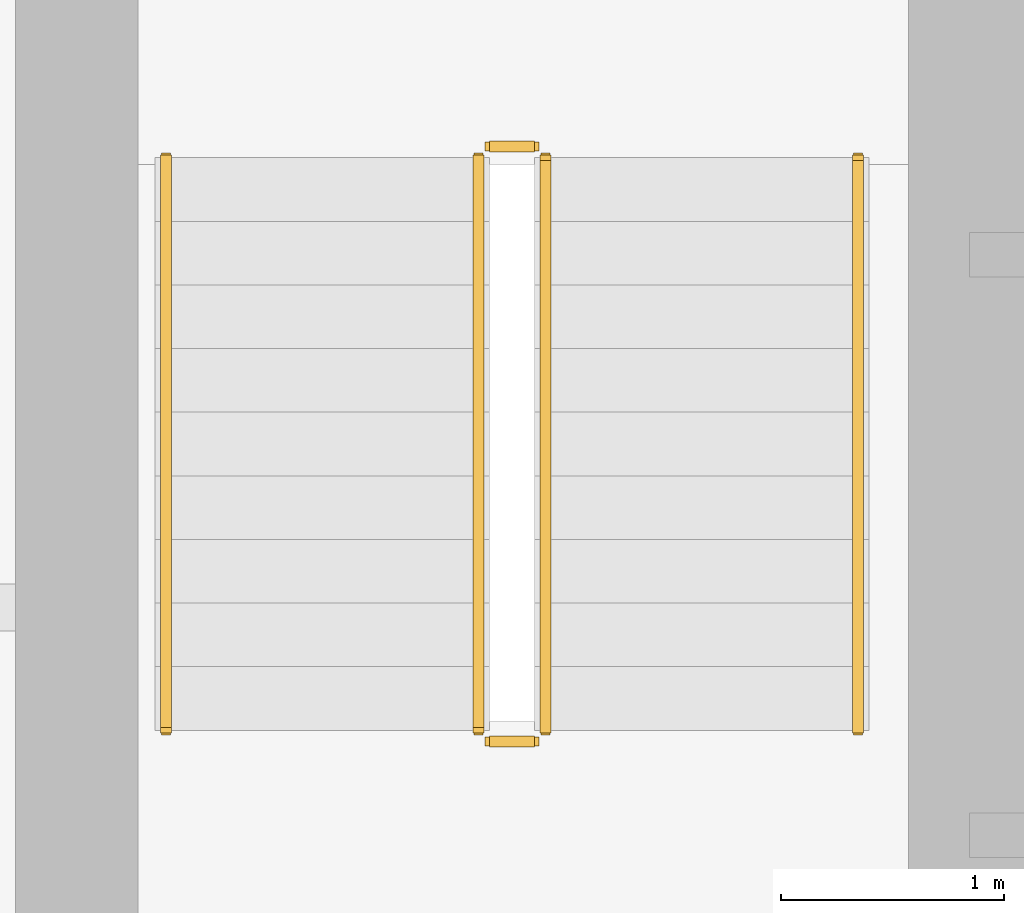
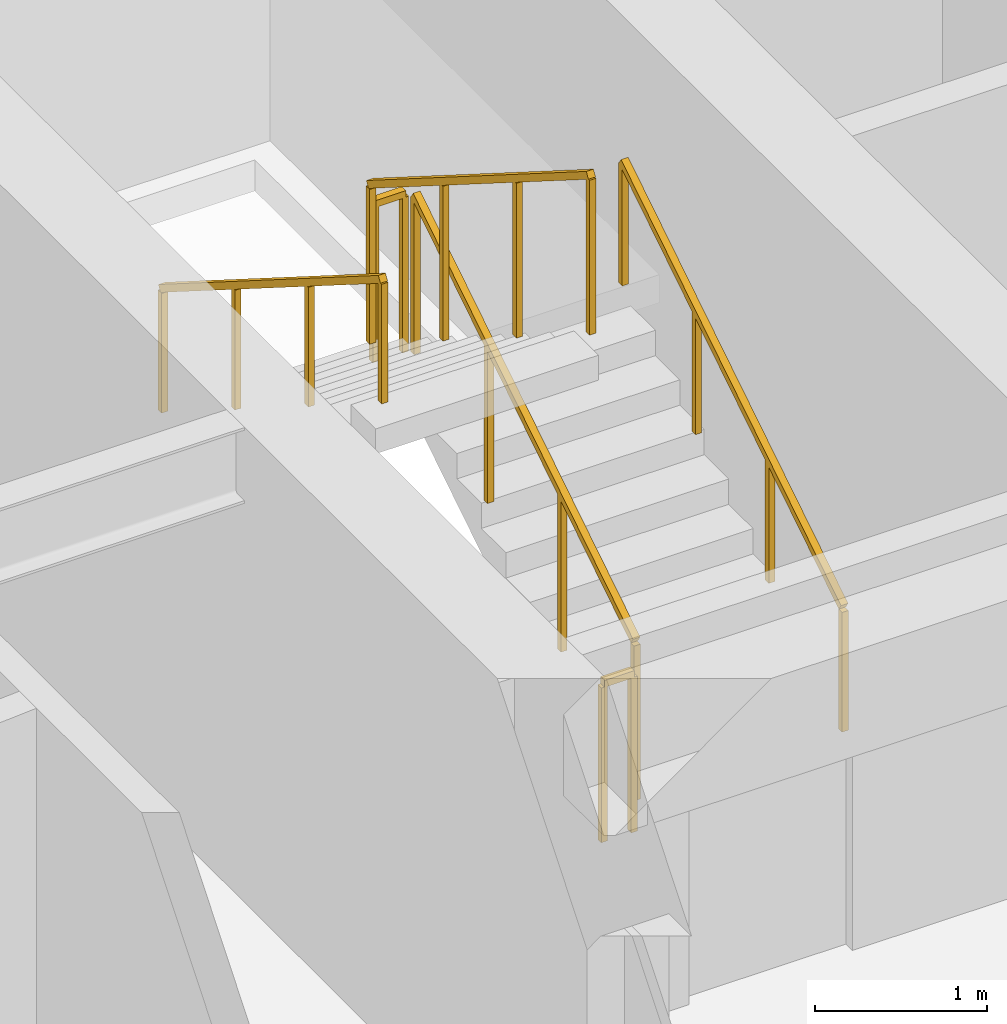
# One storey, part 22 of 24: 6 railings.
"""IFC4 building model written with IfcOpenShell, lengths in metres."""

from ifc_helpers import new_model, si_unit, direction, frame, origin, origin_2d, place, context, subcontext, project, spatial, rectangle, extrude, material, type_object, element, save


model = new_model("IFC4")

# Units and contexts
model_context = context("Model", 3, precision=1e-05, world=origin(), true_north=direction((0.0, 1.0)))
body_context = subcontext(model_context, "Body", "Model", "MODEL_VIEW")
ifc_project = project(units=[si_unit("LENGTHUNIT", "METRE"), si_unit("AREAUNIT", "SQUARE_METRE"), si_unit("VOLUMEUNIT", "CUBIC_METRE"), si_unit("PLANEANGLEUNIT", "RADIAN"), si_unit("MASSUNIT", "GRAM", prefix="KILO")], contexts=[model_context])

# Site, building, storey
site_placement = place(None, origin())
site = spatial("IfcSite", under=ifc_project, at=site_placement, CompositionType="ELEMENT")
building_placement = place(site_placement, origin())
building = spatial("IfcBuilding", under=site, at=building_placement, Name="Sarneth Arch Tower", CompositionType="ELEMENT")
storey_placement = place(building_placement, frame((0.0, 0.0, 127.199951171875)))
storey = spatial("IfcBuildingStorey", under=building, at=storey_placement, Name="L32", CompositionType="ELEMENT", Elevation=127.199951171875)

# Railings
ifc_material_1 = material(Name="Brushed Stainless Steel 304 tubular handrail", Category="steel")
railing_type_1 = type_object("IfcRailingType", Name="RAIL-HANDRAIL-900", PredefinedType="HANDRAIL", material=ifc_material_1)
railing_1_placement = place(storey_placement, frame((40.5, 41.449951171875, 0.179931640625)))
element("IfcRailing", 1, at=railing_1_placement, inside=storey, type_object=railing_type_1, Name="L32 ST-1 stair handrail 1", PredefinedType="HANDRAIL", context=body_context, shape_type="SweptSolid", body=[
    extrude(rectangle(XDim=0.048095703125, YDim=0.048095703125, at=origin_2d()), frame((0.0, 0.0, 0.8759765625), z_axis=(0.0, 0.845465955043, 0.534029323973), x_axis=(-1.0, 0.0, 0.0)), (0.0, 0.0, 1.0), 3.03369140625),
    extrude(rectangle(XDim=0.0419921875, YDim=0.0419921875, at=origin_2d()), origin(), (0.0, 0.0, 1.0), 0.851806640625),
    extrude(rectangle(XDim=0.0419921875, YDim=0.0419921875, at=origin_2d()), frame((0.0, 0.85498046875, 0.5400390625)), (0.0, 0.0, 1.0), 0.851806640625),
    extrude(rectangle(XDim=0.0419921875, YDim=0.0419921875, at=origin_2d()), frame((0.0, 1.7099609375, 1.080078125)), (0.0, 0.0, 1.0), 0.851806640625),
    extrude(rectangle(XDim=0.0419921875, YDim=0.0419921875, at=origin_2d()), frame((0.0, 2.56494140625, 1.6201171875)), (0.0, 0.0, 1.0), 0.851806640625),
])
railing_2_placement = place(storey_placement, frame((37.39990234375, 44.014892578125, 1.97998046875)))
element("IfcRailing", 2, at=railing_2_placement, inside=storey, type_object=railing_type_1, Name="L32 ST-1 stair handrail 2", PredefinedType="HANDRAIL", context=body_context, shape_type="SweptSolid", body=[
    extrude(rectangle(XDim=0.048095703125, YDim=0.048095703125, at=origin_2d()), frame((0.0, 0.0, 0.8759765625), z_axis=(0.0, -0.845465955043, 0.534029323973), x_axis=(1.0, 0.0, 0.0)), (0.0, 0.0, 1.0), 3.03369140625),
    extrude(rectangle(XDim=0.0419921875, YDim=0.0419921875, at=origin_2d()), origin(), (0.0, 0.0, 1.0), 0.851806640625),
    extrude(rectangle(XDim=0.0419921875, YDim=0.0419921875, at=origin_2d()), frame((0.0, -0.85498046875, 0.5400390625)), (0.0, 0.0, 1.0), 0.851806640625),
    extrude(rectangle(XDim=0.0419921875, YDim=0.0419921875, at=origin_2d()), frame((0.0, -1.7099609375, 1.080078125)), (0.0, 0.0, 1.0), 0.851806640625),
    extrude(rectangle(XDim=0.0419921875, YDim=0.0419921875, at=origin_2d()), frame((0.0, -2.56494140625, 1.6201171875)), (0.0, 0.0, 1.0), 0.851806640625),
])
ifc_material_2 = material(Name="Painted Steel S275 stair well guard", Category="steel")
railing_type_2 = type_object("IfcRailingType", Name="RAIL-STAIR-GUARD", PredefinedType="GUARDRAIL", material=ifc_material_2)
railing_3_placement = place(storey_placement, frame((39.10009765625, 41.449951171875, 0.179931640625)))
element("IfcRailing", 3, at=railing_3_placement, inside=storey, type_object=railing_type_2, Name="L32 ST-1 stair guard 1", PredefinedType="GUARDRAIL", context=body_context, shape_type="SweptSolid", body=[
    extrude(rectangle(XDim=0.048095703125, YDim=0.048095703125, at=origin_2d()), frame((0.0, 0.0, 1.1259765625), z_axis=(0.0, 0.845465955043, 0.534029323973), x_axis=(-1.0, 0.0, 0.0)), (0.0, 0.0, 1.0), 3.03369140625),
    extrude(rectangle(XDim=0.0419921875, YDim=0.0419921875, at=origin_2d()), origin(), (0.0, 0.0, 1.0), 1.101806640625),
    extrude(rectangle(XDim=0.0419921875, YDim=0.0419921875, at=origin_2d()), frame((0.0, 0.85498046875, 0.5400390625)), (0.0, 0.0, 1.0), 1.101806640625),
    extrude(rectangle(XDim=0.0419921875, YDim=0.0419921875, at=origin_2d()), frame((0.0, 1.7099609375, 1.080078125)), (0.0, 0.0, 1.0), 1.101806640625),
    extrude(rectangle(XDim=0.0419921875, YDim=0.0419921875, at=origin_2d()), frame((0.0, 2.56494140625, 1.6201171875)), (0.0, 0.0, 1.0), 1.101806640625),
])
railing_4_placement = place(storey_placement, frame((39.050048828125, 44.06494140625, 1.800048828125)))
element("IfcRailing", 4, at=railing_4_placement, inside=storey, type_object=railing_type_2, Name="L32 ST-1 stair guard 2", PredefinedType="GUARDRAIL", context=body_context, shape_type="SweptSolid", body=[
    extrude(rectangle(XDim=0.048095703125, YDim=0.048095703125, at=origin_2d()), frame((0.0, 0.0, 1.1259765625), z_axis=(-1.0, 0.0, 0.0), x_axis=(0.0, -1.0, 0.0)), (0.0, 0.0, 1.0), 0.199951171875),
    extrude(rectangle(XDim=0.0419921875, YDim=0.0419921875, at=origin_2d()), origin(), (0.0, 0.0, 1.0), 1.101806640625),
    extrude(rectangle(XDim=0.0419921875, YDim=0.0419921875, at=origin_2d()), frame((-0.199951171875, 0.0, 0.0)), (0.0, 0.0, 1.0), 1.101806640625),
])
railing_5_placement = place(storey_placement, frame((38.800048828125, 44.014892578125, 1.97998046875)))
element("IfcRailing", 5, at=railing_5_placement, inside=storey, type_object=railing_type_2, Name="L32 ST-1 stair guard 3", PredefinedType="GUARDRAIL", context=body_context, shape_type="SweptSolid", body=[
    extrude(rectangle(XDim=0.048095703125, YDim=0.048095703125, at=origin_2d()), frame((0.0, 0.0, 1.1259765625), z_axis=(0.0, -0.845465955043, 0.534029323973), x_axis=(1.0, 0.0, 0.0)), (0.0, 0.0, 1.0), 3.03369140625),
    extrude(rectangle(XDim=0.0419921875, YDim=0.0419921875, at=origin_2d()), origin(), (0.0, 0.0, 1.0), 1.101806640625),
    extrude(rectangle(XDim=0.0419921875, YDim=0.0419921875, at=origin_2d()), frame((0.0, -0.85498046875, 0.5400390625)), (0.0, 0.0, 1.0), 1.101806640625),
    extrude(rectangle(XDim=0.0419921875, YDim=0.0419921875, at=origin_2d()), frame((0.0, -1.7099609375, 1.080078125)), (0.0, 0.0, 1.0), 1.101806640625),
    extrude(rectangle(XDim=0.0419921875, YDim=0.0419921875, at=origin_2d()), frame((0.0, -2.56494140625, 1.6201171875)), (0.0, 0.0, 1.0), 1.101806640625),
])
railing_6_placement = place(storey_placement, frame((39.050048828125, 41.39990234375, 0.0)))
element("IfcRailing", 6, at=railing_6_placement, inside=storey, type_object=railing_type_2, Name="L32 ST-1 stair guard 4", PredefinedType="GUARDRAIL", context=body_context, shape_type="SweptSolid", body=[
    extrude(rectangle(XDim=0.048095703125, YDim=0.048095703125, at=origin_2d()), frame((0.0, 0.0, 1.1259765625), z_axis=(-1.0, 0.0, 0.0), x_axis=(0.0, -1.0, 0.0)), (0.0, 0.0, 1.0), 0.199951171875),
    extrude(rectangle(XDim=0.0419921875, YDim=0.0419921875, at=origin_2d()), origin(), (0.0, 0.0, 1.0), 1.101806640625),
    extrude(rectangle(XDim=0.0419921875, YDim=0.0419921875, at=origin_2d()), frame((-0.199951171875, 0.0, 0.0)), (0.0, 0.0, 1.0), 1.101806640625),
])

save(model, "model.ifc")
